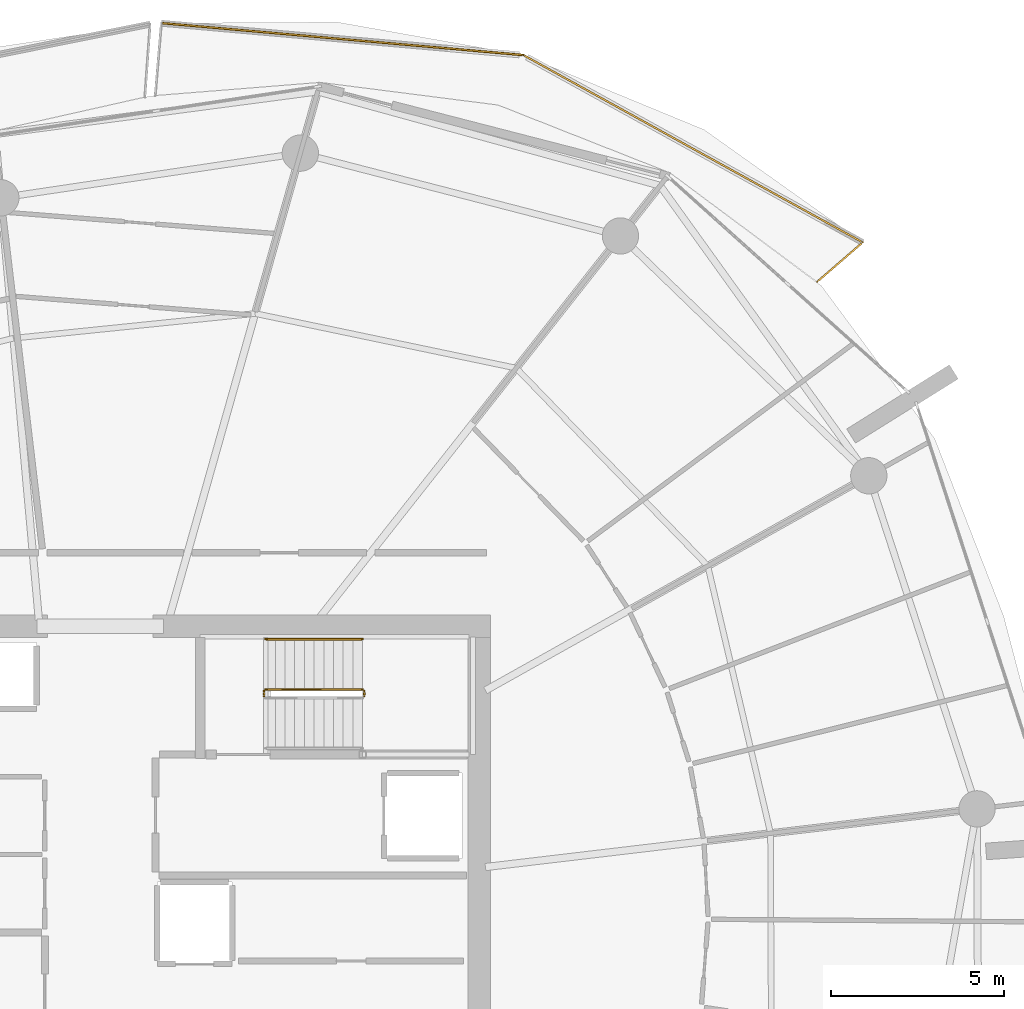
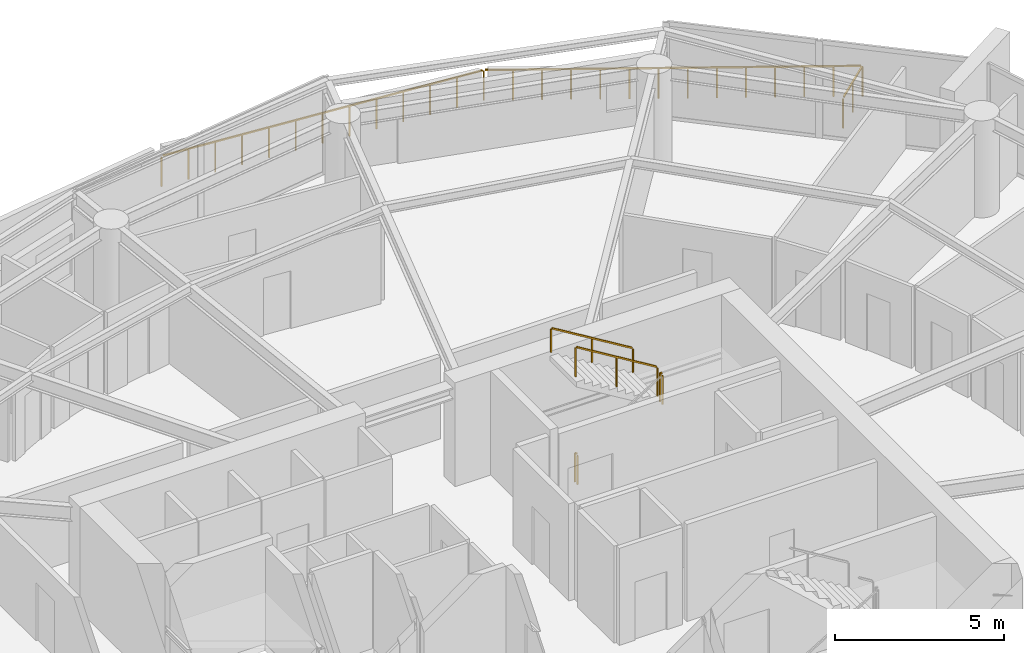
# One storey, part 20 of 20: 7 railings.
"""IFC4 building model written with IfcOpenShell, lengths in metres."""

from ifc_helpers import new_model, si_unit, direction, frame, origin, origin_2d, place, context, subcontext, project, spatial, rectangle, extrude, material, type_object, element, save


model = new_model("IFC4")

# Units and contexts
model_context = context("Model", 3, precision=1e-05, world=origin(), true_north=direction((0.0, 1.0)))
body_context = subcontext(model_context, "Body", "Model", "MODEL_VIEW")
ifc_project = project(units=[si_unit("LENGTHUNIT", "METRE"), si_unit("AREAUNIT", "SQUARE_METRE"), si_unit("VOLUMEUNIT", "CUBIC_METRE"), si_unit("PLANEANGLEUNIT", "RADIAN"), si_unit("MASSUNIT", "GRAM", prefix="KILO")], contexts=[model_context])

# Site, building, storey
site_placement = place(None, origin())
site = spatial("IfcSite", under=ifc_project, at=site_placement, CompositionType="ELEMENT")
building_placement = place(site_placement, origin())
building = spatial("IfcBuilding", under=site, at=building_placement, Name="Kazma Halo Residences", CompositionType="ELEMENT")
storey_placement = place(building_placement, frame((0.0, 0.0, 210.300048828125)))
storey = spatial("IfcBuildingStorey", under=building, at=storey_placement, Name="L53", CompositionType="ELEMENT", Elevation=210.300048828125)

# Railings
ifc_material_1 = material(Name="Aluminium AW-6063 T6 Brushed Cap Rail", Category="aluminium")
railing_type_1 = type_object("IfcRailingType", Name="RLG-BAL-CAP-1120", PredefinedType="BALUSTRADE", material=ifc_material_1)
railing_1_placement = place(storey_placement, frame((69.130126953125, 60.271240234375, 0.0)))
element("IfcRailing", 1, at=railing_1_placement, inside=storey, type_object=railing_type_1, Name="L53 NE wave balcony guard 1", PredefinedType="BALUSTRADE", context=body_context, shape_type="SweptSolid", body=[
    extrude(rectangle(XDim=0.050048828125, YDim=0.050048828125, at=origin_2d()), frame((0.0322265625, 0.02783203125, 1.09521484375), z_axis=(0.756404341656, 0.654104328011, 0.0), x_axis=(-0.654104328011, 0.756404341656, 0.0)), (0.0, 0.0, 1.0), 1.659423828125),
    extrude(rectangle(XDim=0.0400390625, YDim=0.0400390625, at=origin_2d()), origin(), (0.0, 0.0, 1.0), 1.05810546875),
    extrude(rectangle(XDim=0.0400390625, YDim=0.0400390625, at=origin_2d()), frame((0.65966796875, 0.570556640625, 0.0)), (0.0, 0.0, 1.0), 1.05810546875),
    extrude(rectangle(XDim=0.0400390625, YDim=0.0400390625, at=origin_2d()), frame((1.319580078125, 1.14111328125, 0.0)), (0.0, 0.0, 1.0), 1.05810546875),
])
railing_2_placement = place(storey_placement, frame((70.44970703125, 61.412353515625, 0.0)))
element("IfcRailing", 2, at=railing_2_placement, inside=storey, type_object=railing_type_1, Name="L53 NE wave balcony guard 2", PredefinedType="BALUSTRADE", context=body_context, shape_type="SweptSolid", body=[
    extrude(rectangle(XDim=0.050048828125, YDim=0.050048828125, at=origin_2d()), frame((-0.037353515625, 0.0205078125, 1.09521484375), z_axis=(-0.87545838849, 0.483293502979, 0.0), x_axis=(-0.483293502979, -0.87545838849, 0.0)), (0.0, 0.0, 1.0), 11.11083984375),
    extrude(rectangle(XDim=0.0400390625, YDim=0.0400390625, at=origin_2d()), origin(), (0.0, 0.0, 1.0), 1.05810546875),
    extrude(rectangle(XDim=0.0400390625, YDim=0.0400390625, at=origin_2d()), frame((-0.75390625, 0.416259765625, 0.0)), (0.0, 0.0, 1.0), 1.05810546875),
    extrude(rectangle(XDim=0.0400390625, YDim=0.0400390625, at=origin_2d()), frame((-1.5078125, 0.83251953125, 0.0)), (0.0, 0.0, 1.0), 1.05810546875),
    extrude(rectangle(XDim=0.0400390625, YDim=0.0400390625, at=origin_2d()), frame((-2.261962890625, 1.248779296875, 0.0)), (0.0, 0.0, 1.0), 1.05810546875),
    extrude(rectangle(XDim=0.0400390625, YDim=0.0400390625, at=origin_2d()), frame((-3.015869140625, 1.664794921875, 0.0)), (0.0, 0.0, 1.0), 1.05810546875),
    extrude(rectangle(XDim=0.0400390625, YDim=0.0400390625, at=origin_2d()), frame((-3.769775390625, 2.0810546875, 0.0)), (0.0, 0.0, 1.0), 1.05810546875),
    extrude(rectangle(XDim=0.0400390625, YDim=0.0400390625, at=origin_2d()), frame((-4.523681640625, 2.497314453125, 0.0)), (0.0, 0.0, 1.0), 1.05810546875),
    extrude(rectangle(XDim=0.0400390625, YDim=0.0400390625, at=origin_2d()), frame((-5.27783203125, 2.91357421875, 0.0)), (0.0, 0.0, 1.0), 1.05810546875),
    extrude(rectangle(XDim=0.0400390625, YDim=0.0400390625, at=origin_2d()), frame((-6.03173828125, 3.329833984375, 0.0)), (0.0, 0.0, 1.0), 1.05810546875),
    extrude(rectangle(XDim=0.0400390625, YDim=0.0400390625, at=origin_2d()), frame((-6.78564453125, 3.74609375, 0.0)), (0.0, 0.0, 1.0), 1.05810546875),
    extrude(rectangle(XDim=0.0400390625, YDim=0.0400390625, at=origin_2d()), frame((-7.53955078125, 4.162109375, 0.0)), (0.0, 0.0, 1.0), 1.05810546875),
    extrude(rectangle(XDim=0.0400390625, YDim=0.0400390625, at=origin_2d()), frame((-8.293701171875, 4.578369140625, 0.0)), (0.0, 0.0, 1.0), 1.05810546875),
    extrude(rectangle(XDim=0.0400390625, YDim=0.0400390625, at=origin_2d()), frame((-9.047607421875, 4.99462890625, 0.0)), (0.0, 0.0, 1.0), 1.05810546875),
    extrude(rectangle(XDim=0.0400390625, YDim=0.0400390625, at=origin_2d()), frame((-9.801513671875, 5.410888671875, 0.0)), (0.0, 0.0, 1.0), 1.05810546875),
])
railing_3_placement = place(storey_placement, frame((60.648193359375, 66.8232421875, 0.0)))
element("IfcRailing", 3, at=railing_3_placement, inside=storey, type_object=railing_type_1, Name="L53 NE wave balcony guard 3", PredefinedType="BALUSTRADE", context=body_context, shape_type="SweptSolid", body=[
    extrude(rectangle(XDim=0.050048828125, YDim=0.050048828125, at=origin_2d()), frame((-0.04248046875, 0.003662109375, 1.09521484375), z_axis=(-0.996116791463, 0.088041681974, 0.0), x_axis=(-0.088041681974, -0.996116791463, 0.0)), (0.0, 0.0, 1.0), 10.419189453125),
    extrude(rectangle(XDim=0.0400390625, YDim=0.0400390625, at=origin_2d()), origin(), (0.0, 0.0, 1.0), 1.05810546875),
    extrude(rectangle(XDim=0.0400390625, YDim=0.0400390625, at=origin_2d()), frame((-0.8720703125, 0.0771484375, 0.0)), (0.0, 0.0, 1.0), 1.05810546875),
    extrude(rectangle(XDim=0.0400390625, YDim=0.0400390625, at=origin_2d()), frame((-1.743896484375, 0.154052734375, 0.0)), (0.0, 0.0, 1.0), 1.05810546875),
    extrude(rectangle(XDim=0.0400390625, YDim=0.0400390625, at=origin_2d()), frame((-2.61572265625, 0.231201171875, 0.0)), (0.0, 0.0, 1.0), 1.05810546875),
    extrude(rectangle(XDim=0.0400390625, YDim=0.0400390625, at=origin_2d()), frame((-3.48779296875, 0.308349609375, 0.0)), (0.0, 0.0, 1.0), 1.05810546875),
    extrude(rectangle(XDim=0.0400390625, YDim=0.0400390625, at=origin_2d()), frame((-4.35986328125, 0.38525390625, 0.0)), (0.0, 0.0, 1.0), 1.05810546875),
    extrude(rectangle(XDim=0.0400390625, YDim=0.0400390625, at=origin_2d()), frame((-5.231689453125, 0.46240234375, 0.0)), (0.0, 0.0, 1.0), 1.05810546875),
    extrude(rectangle(XDim=0.0400390625, YDim=0.0400390625, at=origin_2d()), frame((-6.103515625, 0.53955078125, 0.0)), (0.0, 0.0, 1.0), 1.05810546875),
    extrude(rectangle(XDim=0.0400390625, YDim=0.0400390625, at=origin_2d()), frame((-6.9755859375, 0.616455078125, 0.0)), (0.0, 0.0, 1.0), 1.05810546875),
    extrude(rectangle(XDim=0.0400390625, YDim=0.0400390625, at=origin_2d()), frame((-7.84765625, 0.693603515625, 0.0)), (0.0, 0.0, 1.0), 1.05810546875),
    extrude(rectangle(XDim=0.0400390625, YDim=0.0400390625, at=origin_2d()), frame((-8.719482421875, 0.770751953125, 0.0)), (0.0, 0.0, 1.0), 1.05810546875),
    extrude(rectangle(XDim=0.0400390625, YDim=0.0400390625, at=origin_2d()), frame((-9.59130859375, 0.84765625, 0.0)), (0.0, 0.0, 1.0), 1.05810546875),
    extrude(rectangle(XDim=0.0400390625, YDim=0.0400390625, at=origin_2d()), frame((-10.46337890625, 0.9248046875, 0.0)), (0.0, 0.0, 1.0), 1.05810546875),
])
ifc_material_2 = material(Name="Painted Steel S355", Category="steel")
railing_type_2 = type_object("IfcRailingType", Name="RLG-STAIR-GRD-1100", PredefinedType="GUARDRAIL", material=ifc_material_2)
railing_4_placement = place(storey_placement, frame((56.050048828125, 48.300048828125, 1.875)))
element("IfcRailing", 4, at=railing_4_placement, inside=storey, type_object=railing_type_2, Name="L53 ST-02 stair guard 2", PredefinedType="GUARDRAIL", context=body_context, shape_type="SweptSolid", body=[
    extrude(rectangle(XDim=0.050048828125, YDim=0.050048828125, at=origin_2d()), frame((0.0, 0.04248046875, 1.0751953125), z_axis=(0.0, 1.0, 0.0), x_axis=(-1.0, 0.0, 0.0)), (0.0, 0.0, 1.0), 0.06494140625),
    extrude(rectangle(XDim=0.0400390625, YDim=0.0400390625, at=origin_2d()), origin(), (0.0, 0.0, 1.0), 1.0380859375),
    extrude(rectangle(XDim=0.0400390625, YDim=0.0400390625, at=origin_2d()), frame((0.0, 0.14990234375, 0.0)), (0.0, 0.0, 1.0), 1.0380859375),
])
railing_5_placement = place(storey_placement, frame((56.0, 48.5, 2.04541015625)))
element("IfcRailing", 5, at=railing_5_placement, inside=storey, type_object=railing_type_2, Name="L53 ST-02 stair guard 3", PredefinedType="GUARDRAIL", context=body_context, shape_type="SweptSolid", body=[
    extrude(rectangle(XDim=0.050048828125, YDim=0.050048828125, at=origin_2d()), frame((-0.036376953125, 0.0, 1.09716796875), z_axis=(-0.854169791009, 0.0, 0.51999420009), x_axis=(0.0, -1.0, 0.0)), (0.0, 0.0, 1.0), 3.193115234375),
    extrude(rectangle(XDim=0.0400390625, YDim=0.0400390625, at=origin_2d()), origin(), (0.0, 0.0, 1.0), 1.0380859375),
    extrude(rectangle(XDim=0.0400390625, YDim=0.0400390625, at=origin_2d()), frame((-1.39990234375, 0.0, 0.852294921875)), (0.0, 0.0, 1.0), 1.0380859375),
    extrude(rectangle(XDim=0.0400390625, YDim=0.0400390625, at=origin_2d()), frame((-2.800048828125, 0.0, 1.70458984375)), (0.0, 0.0, 1.0), 1.0380859375),
])
railing_6_placement = place(storey_placement, frame((53.14990234375, 48.300048828125, 0.0)))
element("IfcRailing", 6, at=railing_6_placement, inside=storey, type_object=railing_type_2, Name="L53 ST-02 stair guard 4", PredefinedType="GUARDRAIL", context=body_context, shape_type="SweptSolid", body=[
    extrude(rectangle(XDim=0.050048828125, YDim=0.050048828125, at=origin_2d()), frame((0.0, 0.04248046875, 1.0751953125), z_axis=(0.0, 1.0, 0.0), x_axis=(-1.0, 0.0, 0.0)), (0.0, 0.0, 1.0), 0.06494140625),
    extrude(rectangle(XDim=0.0400390625, YDim=0.0400390625, at=origin_2d()), origin(), (0.0, 0.0, 1.0), 1.0380859375),
    extrude(rectangle(XDim=0.0400390625, YDim=0.0400390625, at=origin_2d()), frame((0.0, 0.14990234375, 0.0)), (0.0, 0.0, 1.0), 1.0380859375),
])
ifc_material_3 = material(Name="Brushed Stainless Steel", Category="steel")
railing_type_3 = type_object("IfcRailingType", Name="RLG-STAIR-HND-900", PredefinedType="HANDRAIL", material=ifc_material_3)
railing_7_placement = place(storey_placement, frame((56.0, 49.949951171875, 2.04541015625)))
element("IfcRailing", 7, at=railing_7_placement, inside=storey, type_object=railing_type_3, Name="L53 ST-02 stair handrail 2", PredefinedType="HANDRAIL", context=body_context, shape_type="SweptSolid", body=[
    extrude(rectangle(XDim=0.050048828125, YDim=0.050048828125, at=origin_2d()), frame((-0.036376953125, 0.0, 0.89697265625), z_axis=(-0.854169791009, 0.0, 0.51999420009), x_axis=(0.0, -1.0, 0.0)), (0.0, 0.0, 1.0), 3.193115234375),
    extrude(rectangle(XDim=0.0400390625, YDim=0.0400390625, at=origin_2d()), origin(), (0.0, 0.0, 1.0), 0.837890625),
    extrude(rectangle(XDim=0.0400390625, YDim=0.0400390625, at=origin_2d()), frame((-1.39990234375, 0.0, 0.852294921875)), (0.0, 0.0, 1.0), 0.837890625),
    extrude(rectangle(XDim=0.0400390625, YDim=0.0400390625, at=origin_2d()), frame((-2.800048828125, 0.0, 1.70458984375)), (0.0, 0.0, 1.0), 0.837890625),
])

save(model, "model.ifc")
